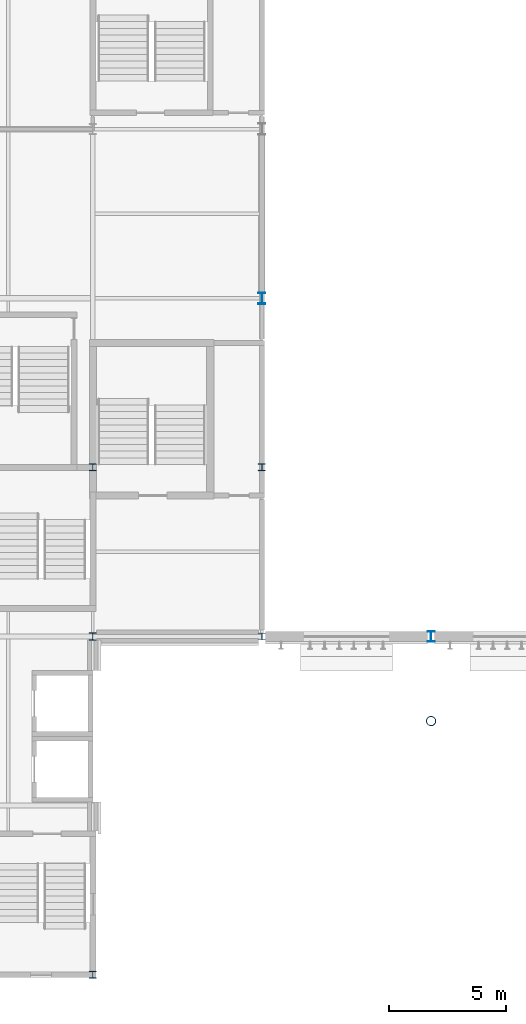
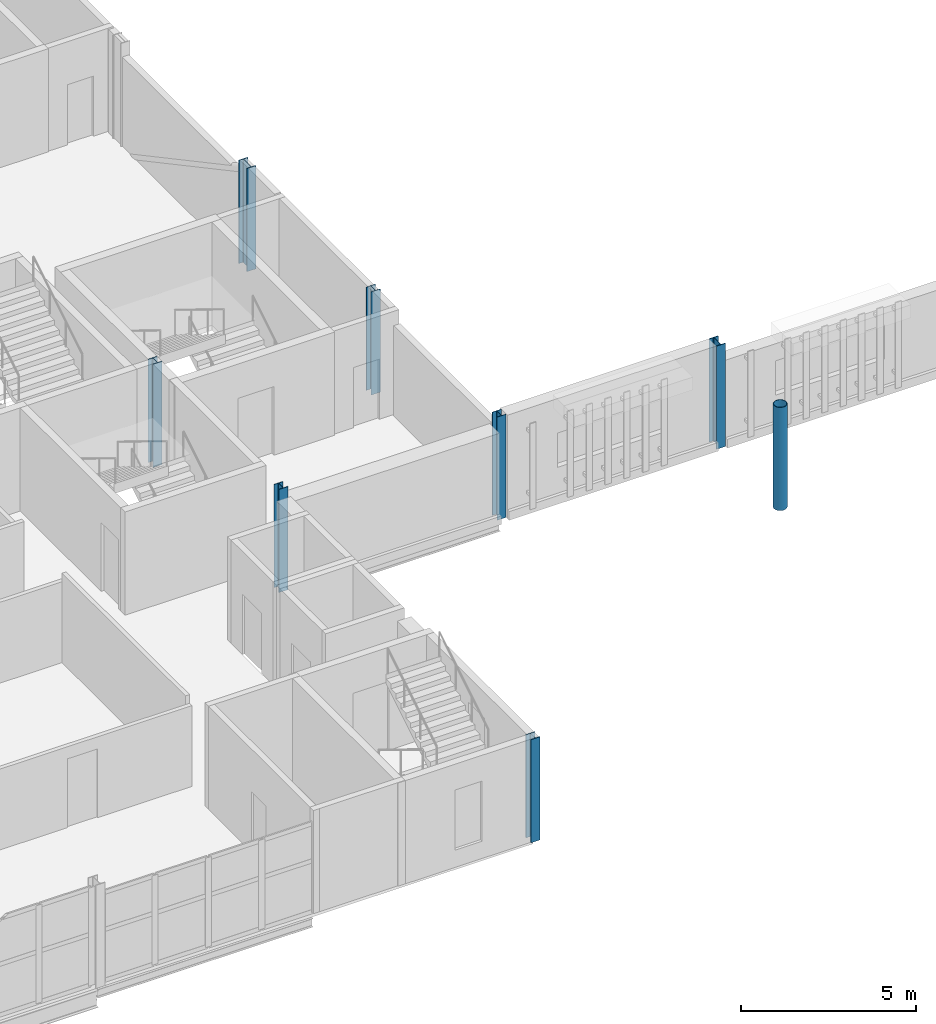
# One storey, part 5 of 124: 8 columns.
"""IFC4 building model written with IfcOpenShell, lengths in metres."""

from ifc_helpers import new_model, si_unit, direction, frame, origin, origin_2d, place, context, subcontext, project, spatial, hollow_circle, i_section, extrude, material, material_profile, profile_set, type_object, element, save


model = new_model("IFC4")

# Units and contexts
model_context = context("Model", 3, precision=1e-05, world=origin(), true_north=direction((0.0, 1.0)))
body_context = subcontext(model_context, "Body", "Model", "MODEL_VIEW")
ifc_project = project(units=[si_unit("LENGTHUNIT", "METRE"), si_unit("AREAUNIT", "SQUARE_METRE"), si_unit("VOLUMEUNIT", "CUBIC_METRE"), si_unit("PLANEANGLEUNIT", "RADIAN"), si_unit("MASSUNIT", "GRAM", prefix="KILO")], contexts=[model_context])

# Site, building, storey
site_placement = place(None, origin())
site = spatial("IfcSite", under=ifc_project, at=site_placement, CompositionType="ELEMENT")
building_placement = place(site_placement, origin())
building = spatial("IfcBuilding", under=site, at=building_placement, Name="Kupolbacken Congress Centre", CompositionType="ELEMENT")
storey_placement = place(building_placement, frame((0.0, 0.0, 10.800048828125)))
storey = spatial("IfcBuildingStorey", under=building, at=storey_placement, Name="L03", CompositionType="ELEMENT", Elevation=10.800048828125)

# Columns
ifc_material_1 = material(Name="Steel S355", Category="steel")
ifc_material_profile_1 = material_profile(ifc_material_1, i_section(OverallWidth=0.300048828125, OverallDepth=0.300048828125, WebThickness=0.010986328125, FlangeThickness=0.01904296875, FilletRadius=0.027099609375, at=origin_2d()), Name="HEB 300")
ifc_profile_set_1 = profile_set([ifc_material_profile_1], Name="Steel S355")
column_type_1 = type_object("IfcColumnType", Name="C06 column HEB 300", PredefinedType="COLUMN", material=ifc_profile_set_1)
for number, where, z_axis, x_axis, name in (
    (1, (79.199951171875, 28.800048828125, 0.0), (0.0, 0.0, 1.0), (1.0, 0.0, 0.0), "S/col/C-F-12E/L03"),
    (2, (79.199951171875, 43.199951171875, 0.0), (0.0, 0.0, 1.0), (1.0, 0.0, 0.0), "S/col/C-F-12G/L03"),
    (3, (79.199951171875, 50.39990234375, 0.0), (0.0, 0.0, 1.0), (1.0, 0.0, 0.0), "S/col/C-F-12H/L03"),
):
    element("IfcColumn", number, at=place(storey_placement, frame(where, z_axis=z_axis, x_axis=x_axis)), inside=storey, type_object=column_type_1, Name=name, PredefinedType="COLUMN", context=body_context, shape_type="SweptSolid", body=[
        extrude(i_section(OverallWidth=0.300048828125, OverallDepth=0.300048828125, WebThickness=0.010986328125, FlangeThickness=0.01904296875, FilletRadius=0.027099609375, at=origin_2d()), origin(), (0.0, 0.0, 1.0), 3.599853515625),
    ])
ifc_material_2 = material(Name="Steel S355", Category="steel")
ifc_material_profile_2 = material_profile(ifc_material_2, i_section(OverallWidth=0.300048828125, OverallDepth=0.43994140625, WebThickness=0.011474609375, FlangeThickness=0.02099609375, FilletRadius=0.027099609375, at=origin_2d()), Name="HEA 450")
ifc_profile_set_2 = profile_set([ifc_material_profile_2], Name="Steel S355")
column_type_2 = type_object("IfcColumnType", Name="C07 column HEA 450", PredefinedType="COLUMN", material=ifc_profile_set_2)
column_1_placement = place(storey_placement, frame((93.60009765625, 43.199951171875, 0.0), z_axis=(0.0, 0.0, 1.0), x_axis=(1.0, 0.0, 0.0)))
element("IfcColumn", 4, at=column_1_placement, inside=storey, type_object=column_type_2, Name="S/col/C-H-T1S/L03", PredefinedType="COLUMN", context=body_context, shape_type="SweptSolid", body=[
    extrude(i_section(OverallWidth=0.300048828125, OverallDepth=0.43994140625, WebThickness=0.011474609375, FlangeThickness=0.02099609375, FilletRadius=0.027099609375, at=origin_2d()), origin(), (0.0, 0.0, 1.0), 3.599853515625),
])
ifc_material_3 = material(Name="Steel S355", Category="steel")
ifc_material_profile_3 = material_profile(ifc_material_3, i_section(OverallWidth=0.300048828125, OverallDepth=0.2900390625, WebThickness=0.008544921875, FlangeThickness=0.013916015625, FilletRadius=0.027099609375, at=origin_2d()), Name="HEA 300")
ifc_profile_set_3 = profile_set([ifc_material_profile_3], Name="Steel S355")
column_type_3 = type_object("IfcColumnType", Name="C09 column HEA 300", PredefinedType="COLUMN", material=ifc_profile_set_3)
for number, where, z_axis, x_axis, name in (
    (5, (86.39990234375, 43.199951171875, 0.0), (0.0, 0.0, 1.0), (1.0, 0.0, 0.0), "S/col/C-H-PW01/L03"),
    (6, (86.39990234375, 50.39990234375, 0.0), (0.0, 0.0, 1.0), (1.0, 0.0, 0.0), "S/col/C-H-PW02/L03"),
):
    element("IfcColumn", number, at=place(storey_placement, frame(where, z_axis=z_axis, x_axis=x_axis)), inside=storey, type_object=column_type_3, Name=name, PredefinedType="COLUMN", context=body_context, shape_type="SweptSolid", body=[
        extrude(i_section(OverallWidth=0.300048828125, OverallDepth=0.2900390625, WebThickness=0.008544921875, FlangeThickness=0.013916015625, FilletRadius=0.027099609375, at=origin_2d()), origin(), (0.0, 0.0, 1.0), 3.599853515625),
    ])
ifc_material_4 = material(Name="Steel S355", Category="steel")
ifc_material_profile_4 = material_profile(ifc_material_4, i_section(OverallWidth=0.300048828125, OverallDepth=0.489990234375, WebThickness=0.011962890625, FlangeThickness=0.02294921875, FilletRadius=0.027099609375, at=origin_2d()), Name="HEA 500")
ifc_profile_set_4 = profile_set([ifc_material_profile_4], Name="Steel S355")
column_type_4 = type_object("IfcColumnType", Name="C14 column HEA 500", PredefinedType="COLUMN", material=ifc_profile_set_4)
column_2_placement = place(storey_placement, frame((86.39990234375, 57.60009765625, 0.0), z_axis=(0.0, 0.0, 1.0), x_axis=(1.0, 0.0, 0.0)))
element("IfcColumn", 7, at=column_2_placement, inside=storey, type_object=column_type_4, Name="S/col/C-H-PW03/L03", PredefinedType="COLUMN", context=body_context, shape_type="SweptSolid", body=[
    extrude(i_section(OverallWidth=0.300048828125, OverallDepth=0.489990234375, WebThickness=0.011962890625, FlangeThickness=0.02294921875, FilletRadius=0.027099609375, at=origin_2d()), origin(), (0.0, 0.0, 1.0), 3.599853515625),
])
ifc_material_5 = material(Name="Steel S355", Category="steel")
ifc_material_profile_5 = material_profile(ifc_material_5, hollow_circle(Radius=0.203125, WallThickness=0.01611328125, at=origin_2d()), Name="CHS 406.4 x 16")
ifc_profile_set_5 = profile_set([ifc_material_profile_5], Name="Steel S355")
column_type_5 = type_object("IfcColumnType", Name="C15 roof mast CHS 406.4 x 16", PredefinedType="COLUMN", material=ifc_profile_set_5)
column_3_placement = place(storey_placement, frame((93.60009765625, 39.60009765625, 0.0), z_axis=(0.0, 0.0, 1.0), x_axis=(1.0, 0.0, 0.0)))
element("IfcColumn", 8, at=column_3_placement, inside=storey, type_object=column_type_5, Name="Roof mast M1S", PredefinedType="COLUMN", context=body_context, shape_type="SweptSolid", body=[
    extrude(hollow_circle(Radius=0.203125, WallThickness=0.01611328125, at=origin_2d()), origin(), (0.0, 0.0, 1.0), 3.599853515625),
])

save(model, "model.ifc")
